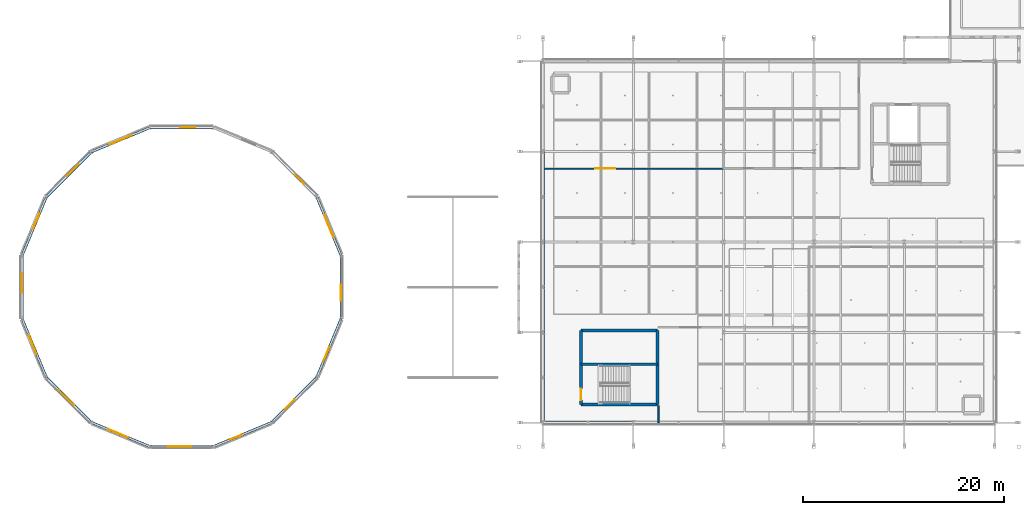
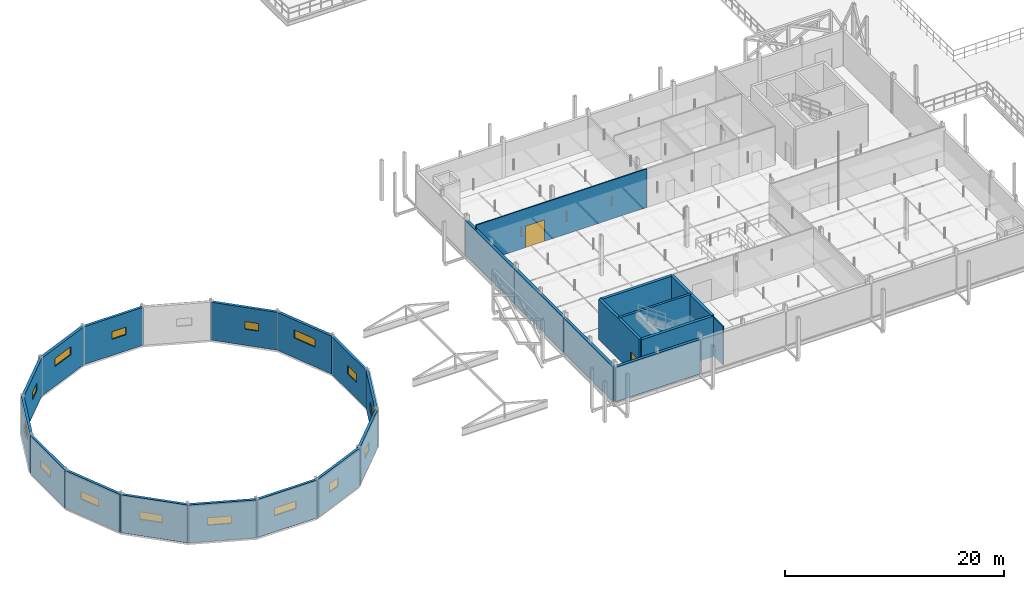
# One storey, part 45 of 89: 26 walls, 15 windows, 2 doors, 17 openings.
"""IFC4 building model written with IfcOpenShell, lengths in metres."""

from ifc_helpers import new_model, si_unit, direction, frame, frame_2d, origin, place, context, subcontext, project, spatial, rectangle, extrude, material, layer, layer_set, type_object, element, fill, save


model = new_model("IFC4")

# Units and contexts
model_context = context("Model", 3, precision=1e-05, world=origin(), true_north=direction((0.0, 1.0)))
body_context = subcontext(model_context, "Body", "Model", "MODEL_VIEW")
ifc_project = project(units=[si_unit("LENGTHUNIT", "METRE"), si_unit("AREAUNIT", "SQUARE_METRE"), si_unit("VOLUMEUNIT", "CUBIC_METRE"), si_unit("PLANEANGLEUNIT", "RADIAN"), si_unit("MASSUNIT", "GRAM", prefix="KILO"), si_unit("THERMODYNAMICTEMPERATUREUNIT", "KELVIN"), si_unit("POWERUNIT", "WATT")], contexts=[model_context])

# Site, building, storey
site_placement = place(None, origin())
site = spatial("IfcSite", under=ifc_project, at=site_placement, CompositionType="ELEMENT")
building_placement = place(site_placement, origin())
building = spatial("IfcBuilding", under=site, at=building_placement, Name="Tallowbark Science Centre", CompositionType="ELEMENT")
storey_placement = place(building_placement, frame((0.0, 0.0, 14.39990234375)))
storey = spatial("IfcBuildingStorey", under=building, at=storey_placement, Name="L03", CompositionType="ELEMENT", Elevation=14.39990234375)

# Wall, opening, window
ifc_material_1 = material(Name="Insulated Ribbed Precast Concrete Panel Grade N40 (40 MPa)", Category="concrete")
ifc_layer_1 = layer(ifc_material_1, 0.264892578125)
ifc_layer_set_1 = layer_set([ifc_layer_1], Name="Insulated Ribbed Precast Concrete Panel Grade N40 (40 MPa)")
wall_type_1 = type_object("IfcWallType", Name="EWL-PRC-265", PredefinedType="STANDARD", material=ifc_layer_set_1)
wall_1_placement = place(storey_placement, frame((38.388671875, 21.160400390625, 0.0), z_axis=(0.0, 0.0, 1.0), x_axis=(-0.382683814393, 0.92387937427, 0.0)))
wall_1 = element("IfcWall", 1, at=wall_1_placement, inside=storey, type_object=wall_type_1, Name="Exterior Wall DRM-UP-L03-00", PredefinedType="STANDARD", context=body_context, shape_type="SweptSolid", body=[
    extrude(rectangle(XDim=6.321044921875, YDim=0.264892578125, at=frame_2d((3.16064453125, 0.0))), origin(), (0.0, 0.0, 1.0), 4.22998046875),
])
opening_1_placement = place(wall_1_placement, frame((1.949951171875, 0.0, 2.199951171875)))
opening_1 = element("IfcOpeningElement", 2, at=opening_1_placement, cuts=wall_1, Name="Opening W-16", PredefinedType="OPENING", context=body_context, shape_type="SweptSolid", body=[
    extrude(rectangle(XDim=2.39990234375, YDim=0.89990234375, at=frame_2d((1.199951171875, 0.449951171875))), frame((0.0, 0.142578125, 0.0), z_axis=(0.0, -1.0, 0.0), x_axis=(1.0, 0.0, 0.0)), (0.0, 0.0, 1.0), 0.284912109375),
])
ifc_material_2 = material(Name="Thermally Broken Aluminium and Low-E Double Glazing", Category="aluminium")
window_type_1 = type_object("IfcWindowType", Name="WIN-CLR240x090", PartitioningType="SINGLE_PANEL", PredefinedType="LIGHTDOME", material=ifc_material_2)
window_1_placement = place(opening_1_placement, origin())
window_1 = element("IfcWindow", 3, at=window_1_placement, inside=storey, type_object=window_type_1, Name="Window XOP-08", OverallHeight=0.89990234375, OverallWidth=2.39990234375, PartitioningType="SINGLE_PANEL", PredefinedType="LIGHTDOME", context=body_context, shape_type="SweptSolid", body=[
    extrude(rectangle(XDim=2.39990234375, YDim=0.89990234375, at=frame_2d((1.199951171875, 0.449951171875))), frame((0.0, 0.030029296875, 0.0), z_axis=(0.0, -1.0, 0.0), x_axis=(1.0, 0.0, 0.0)), (0.0, 0.0, 1.0), 0.06005859375),
])
fill(opening_1, window_1)

wall_2_placement = place(storey_placement, frame((35.9697265625, 27.000244140625, 0.0), z_axis=(0.0, 0.0, 1.0), x_axis=(-0.707106781187, 0.707106781187, 0.0)))
wall_2 = element("IfcWall", 4, at=wall_2_placement, inside=storey, type_object=wall_type_1, Name="Exterior Wall DRM-UP-L03-01", PredefinedType="STANDARD", context=body_context, shape_type="SweptSolid", body=[
    extrude(rectangle(XDim=6.32080078125, YDim=0.264892578125, at=frame_2d((3.160400390625, 0.0))), origin(), (0.0, 0.0, 1.0), 4.22998046875),
])
opening_2_placement = place(wall_2_placement, frame((1.800048828125, 0.0, 1.800048828125)))
opening_2 = element("IfcOpeningElement", 5, at=opening_2_placement, cuts=wall_2, Name="Opening WS-20", PredefinedType="OPENING", context=body_context, shape_type="SweptSolid", body=[
    extrude(rectangle(XDim=1.300048828125, YDim=0.85009765625, at=frame_2d((0.64990234375, 0.425048828125))), frame((0.0, 0.142578125, 0.0), z_axis=(0.0, -1.0, 0.0), x_axis=(1.0, 0.0, 0.0)), (0.0, 0.0, 1.0), 0.284912109375),
])
window_type_2 = type_object("IfcWindowType", Name="WIN-SP-130x085", PartitioningType="SINGLE_PANEL", PredefinedType="WINDOW", material=ifc_material_2)
window_2_placement = place(opening_2_placement, origin())
window_2 = element("IfcWindow", 6, at=window_2_placement, inside=storey, type_object=window_type_2, Name="Acoustic Window WSP-20", OverallHeight=0.85009765625, OverallWidth=1.300048828125, PartitioningType="SINGLE_PANEL", PredefinedType="WINDOW", context=body_context, shape_type="SweptSolid", body=[
    extrude(rectangle(XDim=1.300048828125, YDim=0.85009765625, at=frame_2d((0.64990234375, 0.425048828125))), frame((0.0, 0.030029296875, 0.0), z_axis=(0.0, -1.0, 0.0), x_axis=(1.0, 0.0, 0.0)), (0.0, 0.0, 1.0), 0.06005859375),
])
fill(opening_2, window_2)

wall_3_placement = place(storey_placement, frame((25.660400390625, 33.888671875, 0.0), z_axis=(0.0, 0.0, 1.0), x_axis=(-1.0, 0.0, 0.0)))
wall_3 = element("IfcWall", 7, at=wall_3_placement, inside=storey, type_object=wall_type_1, Name="Exterior Wall DRM-UP-L03-03", PredefinedType="STANDARD", context=body_context, shape_type="SweptSolid", body=[
    extrude(rectangle(XDim=6.32080078125, YDim=0.264892578125, at=frame_2d((3.160400390625, 0.0))), origin(), (0.0, 0.0, 1.0), 4.22998046875),
])
opening_3_placement = place(wall_3_placement, frame((1.800048828125, 0.0, 1.800048828125)))
opening_3 = element("IfcOpeningElement", 8, at=opening_3_placement, cuts=wall_3, Name="Opening WS-22", PredefinedType="OPENING", context=body_context, shape_type="SweptSolid", body=[
    extrude(rectangle(XDim=1.5, YDim=0.85009765625, at=frame_2d((0.75, 0.425048828125))), frame((0.0, 0.142578125, 0.0), z_axis=(0.0, -1.0, 0.0), x_axis=(1.0, 0.0, 0.0)), (0.0, 0.0, 1.0), 0.284912109375),
])
window_type_3 = type_object("IfcWindowType", Name="WIN-SP-150x085", PartitioningType="SINGLE_PANEL", PredefinedType="WINDOW", material=ifc_material_2)
window_3_placement = place(opening_3_placement, origin())
window_3 = element("IfcWindow", 9, at=window_3_placement, inside=storey, type_object=window_type_3, Name="Acoustic Window WSP-22", OverallHeight=0.85009765625, OverallWidth=1.5, PartitioningType="SINGLE_PANEL", PredefinedType="WINDOW", context=body_context, shape_type="SweptSolid", body=[
    extrude(rectangle(XDim=1.5, YDim=0.85009765625, at=frame_2d((0.75, 0.425048828125))), frame((0.0, 0.030029296875, 0.0), z_axis=(0.0, -1.0, 0.0), x_axis=(1.0, 0.0, 0.0)), (0.0, 0.0, 1.0), 0.06005859375),
])
fill(opening_3, window_3)

wall_4_placement = place(storey_placement, frame((19.339599609375, 33.888671875, 0.0), z_axis=(0.0, 0.0, 1.0), x_axis=(-0.92387937427, -0.382683814393, 0.0)))
wall_4 = element("IfcWall", 10, at=wall_4_placement, inside=storey, type_object=wall_type_1, Name="Exterior Wall DRM-UP-L03-04", PredefinedType="STANDARD", context=body_context, shape_type="SweptSolid", body=[
    extrude(rectangle(XDim=6.321044921875, YDim=0.264892578125, at=frame_2d((3.16064453125, 0.0))), origin(), (0.0, 0.0, 1.0), 4.22998046875),
])
opening_4_placement = place(wall_4_placement, frame((1.949951171875, 0.0, 2.199951171875)))
opening_4 = element("IfcOpeningElement", 11, at=opening_4_placement, cuts=wall_4, Name="Opening W-16", PredefinedType="OPENING", context=body_context, shape_type="SweptSolid", body=[
    extrude(rectangle(XDim=2.39990234375, YDim=0.89990234375, at=frame_2d((1.199951171875, 0.449951171875))), frame((0.0, 0.142578125, 0.0), z_axis=(0.0, -1.0, 0.0), x_axis=(1.0, 0.0, 0.0)), (0.0, 0.0, 1.0), 0.284912109375),
])
window_4_placement = place(opening_4_placement, origin())
window_4 = element("IfcWindow", 12, at=window_4_placement, inside=storey, type_object=window_type_1, Name="Window XOP-09", OverallHeight=0.89990234375, OverallWidth=2.39990234375, PartitioningType="SINGLE_PANEL", PredefinedType="LIGHTDOME", context=body_context, shape_type="SweptSolid", body=[
    extrude(rectangle(XDim=2.39990234375, YDim=0.89990234375, at=frame_2d((1.199951171875, 0.449951171875))), frame((0.0, 0.030029296875, 0.0), z_axis=(0.0, -1.0, 0.0), x_axis=(1.0, 0.0, 0.0)), (0.0, 0.0, 1.0), 0.06005859375),
])
fill(opening_4, window_4)

wall_5_placement = place(storey_placement, frame((13.499755859375, 31.4697265625, 0.0), z_axis=(0.0, 0.0, 1.0), x_axis=(-0.707106781187, -0.707106781187, 0.0)))
wall_5 = element("IfcWall", 13, at=wall_5_placement, inside=storey, type_object=wall_type_1, Name="Exterior Wall DRM-UP-L03-05", PredefinedType="STANDARD", context=body_context, shape_type="SweptSolid", body=[
    extrude(rectangle(XDim=6.32080078125, YDim=0.264892578125, at=frame_2d((3.160400390625, 0.0))), origin(), (0.0, 0.0, 1.0), 4.22998046875),
])
opening_5_placement = place(wall_5_placement, frame((1.800048828125, 0.0, 1.800048828125)))
opening_5 = element("IfcOpeningElement", 14, at=opening_5_placement, cuts=wall_5, Name="Opening WS-23", PredefinedType="OPENING", context=body_context, shape_type="SweptSolid", body=[
    extrude(rectangle(XDim=1.60009765625, YDim=0.85009765625, at=frame_2d((0.800048828125, 0.425048828125))), frame((0.0, 0.142578125, 0.0), z_axis=(0.0, -1.0, 0.0), x_axis=(1.0, 0.0, 0.0)), (0.0, 0.0, 1.0), 0.284912109375),
])
window_type_4 = type_object("IfcWindowType", Name="WIN-SP-160x085", PartitioningType="SINGLE_PANEL", PredefinedType="WINDOW", material=ifc_material_2)
window_5_placement = place(opening_5_placement, origin())
window_5 = element("IfcWindow", 15, at=window_5_placement, inside=storey, type_object=window_type_4, Name="Acoustic Window WSP-23", OverallHeight=0.85009765625, OverallWidth=1.60009765625, PartitioningType="SINGLE_PANEL", PredefinedType="WINDOW", context=body_context, shape_type="SweptSolid", body=[
    extrude(rectangle(XDim=1.60009765625, YDim=0.85009765625, at=frame_2d((0.800048828125, 0.425048828125))), frame((0.0, 0.030029296875, 0.0), z_axis=(0.0, -1.0, 0.0), x_axis=(1.0, 0.0, 0.0)), (0.0, 0.0, 1.0), 0.06005859375),
])
fill(opening_5, window_5)

wall_6_placement = place(storey_placement, frame((9.0302734375, 27.000244140625, 0.0), z_axis=(0.0, 0.0, 1.0), x_axis=(-0.382683814393, -0.92387937427, 0.0)))
wall_6 = element("IfcWall", 16, at=wall_6_placement, inside=storey, type_object=wall_type_1, Name="Exterior Wall DRM-UP-L03-06", PredefinedType="STANDARD", context=body_context, shape_type="SweptSolid", body=[
    extrude(rectangle(XDim=6.321044921875, YDim=0.264892578125, at=frame_2d((3.16064453125, 0.0))), origin(), (0.0, 0.0, 1.0), 4.22998046875),
])
opening_6_placement = place(wall_6_placement, frame((1.800048828125, 0.0, 1.800048828125)))
opening_6 = element("IfcOpeningElement", 17, at=opening_6_placement, cuts=wall_6, Name="Opening WS-24", PredefinedType="OPENING", context=body_context, shape_type="SweptSolid", body=[
    extrude(rectangle(XDim=1.699951171875, YDim=0.85009765625, at=frame_2d((0.85009765625, 0.425048828125))), frame((0.0, 0.142578125, 0.0), z_axis=(0.0, -1.0, 0.0), x_axis=(1.0, 0.0, 0.0)), (0.0, 0.0, 1.0), 0.284912109375),
])
window_type_5 = type_object("IfcWindowType", Name="WIN-SP-170x085", PartitioningType="SINGLE_PANEL", PredefinedType="WINDOW", material=ifc_material_2)
window_6_placement = place(opening_6_placement, origin())
window_6 = element("IfcWindow", 18, at=window_6_placement, inside=storey, type_object=window_type_5, Name="Acoustic Window WSP-24", OverallHeight=0.85009765625, OverallWidth=1.699951171875, PartitioningType="SINGLE_PANEL", PredefinedType="WINDOW", context=body_context, shape_type="SweptSolid", body=[
    extrude(rectangle(XDim=1.699951171875, YDim=0.85009765625, at=frame_2d((0.85009765625, 0.425048828125))), frame((0.0, 0.030029296875, 0.0), z_axis=(0.0, -1.0, 0.0), x_axis=(1.0, 0.0, 0.0)), (0.0, 0.0, 1.0), 0.06005859375),
])
fill(opening_6, window_6)

wall_7_placement = place(storey_placement, frame((6.611328125, 21.160400390625, 0.0), z_axis=(0.0, 0.0, 1.0), x_axis=(0.0, -1.0, 0.0)))
wall_7 = element("IfcWall", 19, at=wall_7_placement, inside=storey, type_object=wall_type_1, Name="Exterior Wall DRM-UP-L03-07", PredefinedType="STANDARD", context=body_context, shape_type="SweptSolid", body=[
    extrude(rectangle(XDim=6.32080078125, YDim=0.264892578125, at=frame_2d((3.160400390625, 0.0))), origin(), (0.0, 0.0, 1.0), 4.22998046875),
])
opening_7_placement = place(wall_7_placement, frame((1.800048828125, 0.0, 1.800048828125)))
opening_7 = element("IfcOpeningElement", 20, at=opening_7_placement, cuts=wall_7, Name="Opening WS-25", PredefinedType="OPENING", context=body_context, shape_type="SweptSolid", body=[
    extrude(rectangle(XDim=1.89990234375, YDim=0.85009765625, at=frame_2d((0.949951171875, 0.425048828125))), frame((0.0, 0.142578125, 0.0), z_axis=(0.0, -1.0, 0.0), x_axis=(1.0, 0.0, 0.0)), (0.0, 0.0, 1.0), 0.284912109375),
])
window_type_6 = type_object("IfcWindowType", Name="WIN-SP-190x085", PartitioningType="SINGLE_PANEL", PredefinedType="WINDOW", material=ifc_material_2)
window_7_placement = place(opening_7_placement, origin())
window_7 = element("IfcWindow", 21, at=window_7_placement, inside=storey, type_object=window_type_6, Name="Acoustic Window WSP-25", OverallHeight=0.85009765625, OverallWidth=1.89990234375, PartitioningType="SINGLE_PANEL", PredefinedType="WINDOW", context=body_context, shape_type="SweptSolid", body=[
    extrude(rectangle(XDim=1.89990234375, YDim=0.85009765625, at=frame_2d((0.949951171875, 0.425048828125))), frame((0.0, 0.030029296875, 0.0), z_axis=(0.0, -1.0, 0.0), x_axis=(1.0, 0.0, 0.0)), (0.0, 0.0, 1.0), 0.06005859375),
])
fill(opening_7, window_7)

wall_8_placement = place(storey_placement, frame((6.611328125, 14.839599609375, 0.0), z_axis=(0.0, 0.0, 1.0), x_axis=(0.382683814393, -0.92387937427, 0.0)))
wall_8 = element("IfcWall", 22, at=wall_8_placement, inside=storey, type_object=wall_type_1, Name="Exterior Wall DRM-UP-L03-08", PredefinedType="STANDARD", context=body_context, shape_type="SweptSolid", body=[
    extrude(rectangle(XDim=6.321044921875, YDim=0.264892578125, at=frame_2d((3.16064453125, 0.0))), origin(), (0.0, 0.0, 1.0), 4.22998046875),
])
opening_8_placement = place(wall_8_placement, frame((1.800048828125, 0.0, 1.800048828125)))
opening_8 = element("IfcOpeningElement", 23, at=opening_8_placement, cuts=wall_8, Name="Opening WS-26", PredefinedType="OPENING", context=body_context, shape_type="SweptSolid", body=[
    extrude(rectangle(XDim=2.0, YDim=0.85009765625, at=frame_2d((1.0, 0.425048828125))), frame((0.0, 0.142578125, 0.0), z_axis=(0.0, -1.0, 0.0), x_axis=(1.0, 0.0, 0.0)), (0.0, 0.0, 1.0), 0.284912109375),
])
window_type_7 = type_object("IfcWindowType", Name="WIN-SP-200x085", PartitioningType="SINGLE_PANEL", PredefinedType="WINDOW", material=ifc_material_2)
window_8_placement = place(opening_8_placement, origin())
window_8 = element("IfcWindow", 24, at=window_8_placement, inside=storey, type_object=window_type_7, Name="Acoustic Window WSP-26", OverallHeight=0.85009765625, OverallWidth=2.0, PartitioningType="SINGLE_PANEL", PredefinedType="WINDOW", context=body_context, shape_type="SweptSolid", body=[
    extrude(rectangle(XDim=2.0, YDim=0.85009765625, at=frame_2d((1.0, 0.425048828125))), frame((0.0, 0.030029296875, 0.0), z_axis=(0.0, -1.0, 0.0), x_axis=(1.0, 0.0, 0.0)), (0.0, 0.0, 1.0), 0.06005859375),
])
fill(opening_8, window_8)

wall_9_placement = place(storey_placement, frame((9.0302734375, 8.999755859375, 0.0), z_axis=(0.0, 0.0, 1.0), x_axis=(0.707106781187, -0.707106781187, 0.0)))
wall_9 = element("IfcWall", 25, at=wall_9_placement, inside=storey, type_object=wall_type_1, Name="Exterior Wall DRM-UP-L03-09", PredefinedType="STANDARD", context=body_context, shape_type="SweptSolid", body=[
    extrude(rectangle(XDim=6.32080078125, YDim=0.264892578125, at=frame_2d((3.160400390625, 0.0))), origin(), (0.0, 0.0, 1.0), 4.22998046875),
])
opening_9_placement = place(wall_9_placement, frame((1.800048828125, 0.0, 1.800048828125)))
opening_9 = element("IfcOpeningElement", 26, at=opening_9_placement, cuts=wall_9, Name="Opening WS-27", PredefinedType="OPENING", context=body_context, shape_type="SweptSolid", body=[
    extrude(rectangle(XDim=2.10009765625, YDim=0.85009765625, at=frame_2d((1.050048828125, 0.425048828125))), frame((0.0, 0.142578125, 0.0), z_axis=(0.0, -1.0, 0.0), x_axis=(1.0, 0.0, 0.0)), (0.0, 0.0, 1.0), 0.284912109375),
])
window_type_8 = type_object("IfcWindowType", Name="WIN-SP-210x085", PartitioningType="SINGLE_PANEL", PredefinedType="WINDOW", material=ifc_material_2)
window_9_placement = place(opening_9_placement, origin())
window_9 = element("IfcWindow", 27, at=window_9_placement, inside=storey, type_object=window_type_8, Name="Acoustic Window WSP-27", OverallHeight=0.85009765625, OverallWidth=2.10009765625, PartitioningType="SINGLE_PANEL", PredefinedType="WINDOW", context=body_context, shape_type="SweptSolid", body=[
    extrude(rectangle(XDim=2.10009765625, YDim=0.85009765625, at=frame_2d((1.050048828125, 0.425048828125))), frame((0.0, 0.030029296875, 0.0), z_axis=(0.0, -1.0, 0.0), x_axis=(1.0, 0.0, 0.0)), (0.0, 0.0, 1.0), 0.06005859375),
])
fill(opening_9, window_9)

wall_10_placement = place(storey_placement, frame((13.499755859375, 4.5302734375, 0.0), z_axis=(0.0, 0.0, 1.0), x_axis=(0.92387937427, -0.382683814393, 0.0)))
wall_10 = element("IfcWall", 28, at=wall_10_placement, inside=storey, type_object=wall_type_1, Name="Exterior Wall DRM-UP-L03-10", PredefinedType="STANDARD", context=body_context, shape_type="SweptSolid", body=[
    extrude(rectangle(XDim=6.321044921875, YDim=0.264892578125, at=frame_2d((3.16064453125, 0.0))), origin(), (0.0, 0.0, 1.0), 4.22998046875),
])
opening_10_placement = place(wall_10_placement, frame((1.800048828125, 0.0, 1.800048828125)))
opening_10 = element("IfcOpeningElement", 29, at=opening_10_placement, cuts=wall_10, Name="Opening WS-28", PredefinedType="OPENING", context=body_context, shape_type="SweptSolid", body=[
    extrude(rectangle(XDim=2.199951171875, YDim=0.85009765625, at=frame_2d((1.10009765625, 0.425048828125))), frame((0.0, 0.142578125, 0.0), z_axis=(0.0, -1.0, 0.0), x_axis=(1.0, 0.0, 0.0)), (0.0, 0.0, 1.0), 0.284912109375),
])
window_type_9 = type_object("IfcWindowType", Name="WIN-SP-220x085", PartitioningType="SINGLE_PANEL", PredefinedType="WINDOW", material=ifc_material_2)
window_10_placement = place(opening_10_placement, origin())
window_10 = element("IfcWindow", 30, at=window_10_placement, inside=storey, type_object=window_type_9, Name="Acoustic Window WSP-28", OverallHeight=0.85009765625, OverallWidth=2.199951171875, PartitioningType="SINGLE_PANEL", PredefinedType="WINDOW", context=body_context, shape_type="SweptSolid", body=[
    extrude(rectangle(XDim=2.199951171875, YDim=0.85009765625, at=frame_2d((1.10009765625, 0.425048828125))), frame((0.0, 0.030029296875, 0.0), z_axis=(0.0, -1.0, 0.0), x_axis=(1.0, 0.0, 0.0)), (0.0, 0.0, 1.0), 0.06005859375),
])
fill(opening_10, window_10)

wall_11_placement = place(storey_placement, frame((19.339599609375, 2.111328125, 0.0), z_axis=(0.0, 0.0, 1.0), x_axis=(1.0, 0.0, 0.0)))
wall_11 = element("IfcWall", 31, at=wall_11_placement, inside=storey, type_object=wall_type_1, Name="Exterior Wall DRM-UP-L03-11", PredefinedType="STANDARD", context=body_context, shape_type="SweptSolid", body=[
    extrude(rectangle(XDim=6.32080078125, YDim=0.264892578125, at=frame_2d((3.160400390625, 0.0))), origin(), (0.0, 0.0, 1.0), 4.22998046875),
])
opening_11_placement = place(wall_11_placement, frame((1.800048828125, 0.0, 1.800048828125)))
opening_11 = element("IfcOpeningElement", 32, at=opening_11_placement, cuts=wall_11, Name="Opening WS-29", PredefinedType="OPENING", context=body_context, shape_type="SweptSolid", body=[
    extrude(rectangle(XDim=2.300048828125, YDim=0.85009765625, at=frame_2d((1.14990234375, 0.425048828125))), frame((0.0, 0.142578125, 0.0), z_axis=(0.0, -1.0, 0.0), x_axis=(1.0, 0.0, 0.0)), (0.0, 0.0, 1.0), 0.284912109375),
])
window_type_10 = type_object("IfcWindowType", Name="WIN-SP-230x085", PartitioningType="SINGLE_PANEL", PredefinedType="WINDOW", material=ifc_material_2)
window_11_placement = place(opening_11_placement, origin())
window_11 = element("IfcWindow", 33, at=window_11_placement, inside=storey, type_object=window_type_10, Name="Acoustic Window WSP-29", OverallHeight=0.85009765625, OverallWidth=2.300048828125, PartitioningType="SINGLE_PANEL", PredefinedType="WINDOW", context=body_context, shape_type="SweptSolid", body=[
    extrude(rectangle(XDim=2.300048828125, YDim=0.85009765625, at=frame_2d((1.14990234375, 0.425048828125))), frame((0.0, 0.030029296875, 0.0), z_axis=(0.0, -1.0, 0.0), x_axis=(1.0, 0.0, 0.0)), (0.0, 0.0, 1.0), 0.06005859375),
])
fill(opening_11, window_11)

wall_12_placement = place(storey_placement, frame((25.660400390625, 2.111328125, 0.0), z_axis=(0.0, 0.0, 1.0), x_axis=(0.92387937427, 0.382683814393, 0.0)))
wall_12 = element("IfcWall", 34, at=wall_12_placement, inside=storey, type_object=wall_type_1, Name="Exterior Wall DRM-UP-L03-12", PredefinedType="STANDARD", context=body_context, shape_type="SweptSolid", body=[
    extrude(rectangle(XDim=6.321044921875, YDim=0.264892578125, at=frame_2d((3.16064453125, 0.0))), origin(), (0.0, 0.0, 1.0), 4.22998046875),
])
opening_12_placement = place(wall_12_placement, frame((1.800048828125, 0.0, 1.800048828125)))
opening_12 = element("IfcOpeningElement", 35, at=opening_12_placement, cuts=wall_12, Name="Opening WS-30", PredefinedType="OPENING", context=body_context, shape_type="SweptSolid", body=[
    extrude(rectangle(XDim=1.300048828125, YDim=0.949951171875, at=frame_2d((0.64990234375, 0.47509765625))), frame((0.0, 0.142578125, 0.0), z_axis=(0.0, -1.0, 0.0), x_axis=(1.0, 0.0, 0.0)), (0.0, 0.0, 1.0), 0.284912109375),
])
window_type_11 = type_object("IfcWindowType", Name="WIN-SP-130x095", PartitioningType="SINGLE_PANEL", PredefinedType="WINDOW", material=ifc_material_2)
window_12_placement = place(opening_12_placement, origin())
window_12 = element("IfcWindow", 36, at=window_12_placement, inside=storey, type_object=window_type_11, Name="Acoustic Window WSP-30", OverallHeight=0.949951171875, OverallWidth=1.300048828125, PartitioningType="SINGLE_PANEL", PredefinedType="WINDOW", context=body_context, shape_type="SweptSolid", body=[
    extrude(rectangle(XDim=1.300048828125, YDim=0.949951171875, at=frame_2d((0.64990234375, 0.47509765625))), frame((0.0, 0.030029296875, 0.0), z_axis=(0.0, -1.0, 0.0), x_axis=(1.0, 0.0, 0.0)), (0.0, 0.0, 1.0), 0.06005859375),
])
fill(opening_12, window_12)

wall_13_placement = place(storey_placement, frame((31.500244140625, 4.5302734375, 0.0), z_axis=(0.0, 0.0, 1.0), x_axis=(0.707106781187, 0.707106781187, 0.0)))
wall_13 = element("IfcWall", 37, at=wall_13_placement, inside=storey, type_object=wall_type_1, Name="Exterior Wall DRM-UP-L03-13", PredefinedType="STANDARD", context=body_context, shape_type="SweptSolid", body=[
    extrude(rectangle(XDim=6.32080078125, YDim=0.264892578125, at=frame_2d((3.160400390625, 0.0))), origin(), (0.0, 0.0, 1.0), 4.22998046875),
])
opening_13_placement = place(wall_13_placement, frame((1.800048828125, 0.0, 1.800048828125)))
opening_13 = element("IfcOpeningElement", 38, at=opening_13_placement, cuts=wall_13, Name="Opening WS-31", PredefinedType="OPENING", context=body_context, shape_type="SweptSolid", body=[
    extrude(rectangle(XDim=1.39990234375, YDim=0.949951171875, at=frame_2d((0.699951171875, 0.47509765625))), frame((0.0, 0.142578125, 0.0), z_axis=(0.0, -1.0, 0.0), x_axis=(1.0, 0.0, 0.0)), (0.0, 0.0, 1.0), 0.284912109375),
])
window_type_12 = type_object("IfcWindowType", Name="WIN-SP-140x095", PartitioningType="SINGLE_PANEL", PredefinedType="WINDOW", material=ifc_material_2)
window_13_placement = place(opening_13_placement, origin())
window_13 = element("IfcWindow", 39, at=window_13_placement, inside=storey, type_object=window_type_12, Name="Acoustic Window WSP-31", OverallHeight=0.949951171875, OverallWidth=1.39990234375, PartitioningType="SINGLE_PANEL", PredefinedType="WINDOW", context=body_context, shape_type="SweptSolid", body=[
    extrude(rectangle(XDim=1.39990234375, YDim=0.949951171875, at=frame_2d((0.699951171875, 0.47509765625))), frame((0.0, 0.030029296875, 0.0), z_axis=(0.0, -1.0, 0.0), x_axis=(1.0, 0.0, 0.0)), (0.0, 0.0, 1.0), 0.06005859375),
])
fill(opening_13, window_13)

wall_14_placement = place(storey_placement, frame((35.9697265625, 8.999755859375, 0.0), z_axis=(0.0, 0.0, 1.0), x_axis=(0.382683814393, 0.92387937427, 0.0)))
wall_14 = element("IfcWall", 40, at=wall_14_placement, inside=storey, type_object=wall_type_1, Name="Exterior Wall DRM-UP-L03-14", PredefinedType="STANDARD", context=body_context, shape_type="SweptSolid", body=[
    extrude(rectangle(XDim=6.321044921875, YDim=0.264892578125, at=frame_2d((3.16064453125, 0.0))), origin(), (0.0, 0.0, 1.0), 4.22998046875),
])
opening_14_placement = place(wall_14_placement, frame((1.800048828125, 0.0, 1.800048828125)))
opening_14 = element("IfcOpeningElement", 41, at=opening_14_placement, cuts=wall_14, Name="Opening WS-32", PredefinedType="OPENING", context=body_context, shape_type="SweptSolid", body=[
    extrude(rectangle(XDim=1.5, YDim=0.949951171875, at=frame_2d((0.75, 0.47509765625))), frame((0.0, 0.142578125, 0.0), z_axis=(0.0, -1.0, 0.0), x_axis=(1.0, 0.0, 0.0)), (0.0, 0.0, 1.0), 0.284912109375),
])
window_type_13 = type_object("IfcWindowType", Name="WIN-SP-150x095", PartitioningType="SINGLE_PANEL", PredefinedType="WINDOW", material=ifc_material_2)
window_14_placement = place(opening_14_placement, origin())
window_14 = element("IfcWindow", 42, at=window_14_placement, inside=storey, type_object=window_type_13, Name="Acoustic Window WSP-32", OverallHeight=0.949951171875, OverallWidth=1.5, PartitioningType="SINGLE_PANEL", PredefinedType="WINDOW", context=body_context, shape_type="SweptSolid", body=[
    extrude(rectangle(XDim=1.5, YDim=0.949951171875, at=frame_2d((0.75, 0.47509765625))), frame((0.0, 0.030029296875, 0.0), z_axis=(0.0, -1.0, 0.0), x_axis=(1.0, 0.0, 0.0)), (0.0, 0.0, 1.0), 0.06005859375),
])
fill(opening_14, window_14)

wall_15_placement = place(storey_placement, frame((38.388671875, 14.839599609375, 0.0), z_axis=(0.0, 0.0, 1.0), x_axis=(0.0, 1.0, 0.0)))
wall_15 = element("IfcWall", 43, at=wall_15_placement, inside=storey, type_object=wall_type_1, Name="Exterior Wall DRM-UP-L03-15", PredefinedType="STANDARD", context=body_context, shape_type="SweptSolid", body=[
    extrude(rectangle(XDim=6.32080078125, YDim=0.264892578125, at=frame_2d((3.160400390625, 0.0))), origin(), (0.0, 0.0, 1.0), 4.22998046875),
])
opening_15_placement = place(wall_15_placement, frame((1.800048828125, 0.0, 1.800048828125)))
opening_15 = element("IfcOpeningElement", 44, at=opening_15_placement, cuts=wall_15, Name="Opening WS-33", PredefinedType="OPENING", context=body_context, shape_type="SweptSolid", body=[
    extrude(rectangle(XDim=1.60009765625, YDim=0.949951171875, at=frame_2d((0.800048828125, 0.47509765625))), frame((0.0, 0.142578125, 0.0), z_axis=(0.0, -1.0, 0.0), x_axis=(1.0, 0.0, 0.0)), (0.0, 0.0, 1.0), 0.284912109375),
])
window_type_14 = type_object("IfcWindowType", Name="WIN-SP-160x095", PartitioningType="SINGLE_PANEL", PredefinedType="WINDOW", material=ifc_material_2)
window_15_placement = place(opening_15_placement, origin())
window_15 = element("IfcWindow", 45, at=window_15_placement, inside=storey, type_object=window_type_14, Name="Acoustic Window WSP-33", OverallHeight=0.949951171875, OverallWidth=1.60009765625, PartitioningType="SINGLE_PANEL", PredefinedType="WINDOW", context=body_context, shape_type="SweptSolid", body=[
    extrude(rectangle(XDim=1.60009765625, YDim=0.949951171875, at=frame_2d((0.800048828125, 0.47509765625))), frame((0.0, 0.030029296875, 0.0), z_axis=(0.0, -1.0, 0.0), x_axis=(1.0, 0.0, 0.0)), (0.0, 0.0, 1.0), 0.06005859375),
])
fill(opening_15, window_15)

# Walls
ifc_material_3 = material(Name="Spotted Gum Acoustic Cassette Wall Assembly", Category="wood")
ifc_layer_2 = layer(ifc_material_3, 0.294921875)
ifc_layer_set_2 = layer_set([ifc_layer_2], Name="Spotted Gum Acoustic Cassette Wall Assembly")
wall_type_2 = type_object("IfcWallType", Name="EWL-TIM-295", PredefinedType="STANDARD", material=ifc_layer_set_2)
for number, where, z_axis, x_axis, name in (
    (46, (58.5, 4.5, 0.0), (0.0, 0.0, 1.0), (1.0, 0.0, 0.0), "Exterior Wall CUB-S-L03-0"),
    (47, (58.5, 13.5, 0.0), (0.0, 0.0, 1.0), (0.0, -1.0, 0.0), "Exterior Wall CUB-W-L03-0"),
    (48, (58.5, 22.5, 0.0), (0.0, 0.0, 1.0), (0.0, -1.0, 0.0), "Exterior Wall CUB-W-L03-1"),
    (49, (58.5, 31.5, 0.0), (0.0, 0.0, 1.0), (0.0, -1.0, 0.0), "Exterior Wall CUB-W-L03-2"),
):
    element("IfcWall", number, at=place(storey_placement, frame(where, z_axis=z_axis, x_axis=x_axis)), inside=storey, type_object=wall_type_2, Name=name, PredefinedType="STANDARD", context=body_context, shape_type="SweptSolid", body=[
        extrude(rectangle(XDim=9.0, YDim=0.294921875, at=frame_2d((4.5, 0.0))), origin(), (0.0, 0.0, 1.0), 3.84619140625),
    ])
ifc_material_4 = material(Name="132 mm Acoustic Laboratory Steel Stud Partition", Category="steel")
ifc_layer_3 = layer(ifc_material_4, 0.132080078125)
ifc_layer_set_3 = layer_set([ifc_layer_3], Name="132 mm Acoustic Laboratory Steel Stud Partition")
wall_type_3 = type_object("IfcWallType", Name="PTW-132", PredefinedType="PARTITIONING", material=ifc_layer_set_3)
wall_16_placement = place(storey_placement, frame((70.0, 4.5, 0.0), z_axis=(0.0, 0.0, 1.0), x_axis=(0.0, 1.0, 0.0)))
element("IfcWall", 50, at=wall_16_placement, inside=storey, type_object=wall_type_3, Name="Interior Partition PTW-L03-0246", PredefinedType="PARTITIONING", context=body_context, shape_type="SweptSolid", body=[
    extrude(rectangle(XDim=1.699951171875, YDim=0.132080078125, at=frame_2d((0.85009765625, 0.0))), origin(), (0.0, 0.0, 1.0), 4.320068359375),
])

# Wall, opening, door
ifc_material_5 = material(Name="125 mm Top-Hung Operable Acoustic Exhibition Partition")
ifc_layer_4 = layer(ifc_material_5, 0.125)
ifc_layer_set_4 = layer_set([ifc_layer_4], Name="125 mm Top-Hung Operable Acoustic Exhibition Partition")
wall_type_4 = type_object("IfcWallType", Name="PTW-MOV-125", PredefinedType="MOVABLE", material=ifc_layer_set_4)
wall_17_placement = place(storey_placement, frame((58.5, 29.800048828125, 0.0), z_axis=(0.0, 0.0, 1.0), x_axis=(1.0, 0.0, 0.0)))
wall_17 = element("IfcWall", 51, at=wall_17_placement, inside=storey, type_object=wall_type_4, Name="Interior Partition PTW-L03-0251", PredefinedType="MOVABLE", context=body_context, shape_type="SweptSolid", body=[
    extrude(rectangle(XDim=18.0, YDim=0.125, at=frame_2d((9.0, 0.0))), origin(), (0.0, 0.0, 1.0), 4.320068359375),
])
opening_16_placement = place(wall_17_placement, frame((5.199951171875, 0.0, 0.0)))
opening_16 = element("IfcOpeningElement", 52, at=opening_16_placement, cuts=wall_17, Name="Opening ID-02", PredefinedType="OPENING", context=body_context, shape_type="SweptSolid", body=[
    extrude(rectangle(XDim=2.0, YDim=2.39990234375, at=frame_2d((1.0, 1.199951171875))), frame((0.0, 0.072509765625, 0.0), z_axis=(0.0, -1.0, 0.0), x_axis=(1.0, 0.0, 0.0)), (0.0, 0.0, 1.0), 0.14501953125),
])
ifc_material_6 = material(Name="Spotted Gum Acoustic Gallery Pair", Category="wood")
door_type_1 = type_object("IfcDoorType", Name="IDR-GAL-200", OperationType="DOUBLE_DOOR_DOUBLE_SWING", PredefinedType="DOOR", material=ifc_material_6)
door_1_placement = place(opening_16_placement, origin())
door_1 = element("IfcDoor", 53, at=door_1_placement, inside=storey, type_object=door_type_1, Name="Interior Door IDR-L03-0109", OperationType="DOUBLE_DOOR_DOUBLE_SWING", OverallHeight=2.39990234375, OverallWidth=2.0, PredefinedType="DOOR", context=body_context, shape_type="SweptSolid", body=[
    extrude(rectangle(XDim=2.0, YDim=2.39990234375, at=frame_2d((1.0, 1.199951171875))), frame((0.0, 0.02490234375, 0.0), z_axis=(0.0, -1.0, 0.0), x_axis=(1.0, 0.0, 0.0)), (0.0, 0.0, 1.0), 0.050048828125),
])
fill(opening_16, door_1)

ifc_material_7 = material(Name="Concrete Grade N40 (40 MPa)", Category="concrete")
ifc_layer_5 = layer(ifc_material_7, 0.300048828125)
ifc_layer_set_5 = layer_set([ifc_layer_5], Name="Concrete Grade N40 (40 MPa)")
wall_type_5 = type_object("IfcWallType", Name="WL-CORE-300", PredefinedType="SHEAR", material=ifc_layer_set_5)
wall_18_placement = place(storey_placement, frame((62.300048828125, 6.300048828125, 0.0), z_axis=(0.0, 0.0, 1.0), x_axis=(0.0, 1.0, 0.0)))
wall_18 = element("IfcWall", 54, at=wall_18_placement, inside=storey, type_object=wall_type_5, Name="Core C7 Shear Wall L03 W", PredefinedType="SHEAR", context=body_context, shape_type="SweptSolid", body=[
    extrude(rectangle(XDim=7.39990234375, YDim=0.300048828125, at=frame_2d((3.699951171875, 0.0))), origin(), (0.0, 0.0, 1.0), 4.5),
])
opening_17_placement = place(wall_18_placement, frame((0.449951171875, 0.0, 0.0)))
opening_17 = element("IfcOpeningElement", 55, at=opening_17_placement, cuts=wall_18, Name="Opening FD-01", PredefinedType="OPENING", context=body_context, shape_type="SweptSolid", body=[
    extrude(rectangle(XDim=1.14990234375, YDim=2.14990234375, at=frame_2d((0.574951171875, 1.074951171875))), frame((0.0, 0.16015625, 0.0), z_axis=(0.0, -1.0, 0.0), x_axis=(1.0, 0.0, 0.0)), (0.0, 0.0, 1.0), 0.320068359375),
])
ifc_material_8 = material(Name="Fire-Rated Pressed Steel Frame and Solid Core Leaf", Category="steel")
door_type_2 = type_object("IfcDoorType", Name="FDR-STR-115", OperationType="NOTDEFINED", PredefinedType="DOOR", material=ifc_material_8)
door_2_placement = place(opening_17_placement, origin())
door_2 = element("IfcDoor", 56, at=door_2_placement, inside=storey, type_object=door_type_2, Name="Stair ST-07 Fire Door L03", OperationType="SINGLE_SWING_LEFT", OverallHeight=2.14990234375, OverallWidth=1.14990234375, PredefinedType="DOOR", context=body_context, shape_type="SweptSolid", body=[
    extrude(rectangle(XDim=1.14990234375, YDim=2.14990234375, at=frame_2d((0.574951171875, 1.074951171875))), frame((0.0, 0.02490234375, 0.0), z_axis=(0.0, -1.0, 0.0), x_axis=(1.0, 0.0, 0.0)), (0.0, 0.0, 1.0), 0.050048828125),
])
fill(opening_17, door_2)

# Walls
wall_19_placement = place(storey_placement, frame((69.89990234375, 6.300048828125, 0.0), z_axis=(0.0, 0.0, 1.0), x_axis=(0.0, 1.0, 0.0)))
element("IfcWall", 57, at=wall_19_placement, inside=storey, type_object=wall_type_5, Name="Core C7 Shear Wall L03 E", PredefinedType="SHEAR", context=body_context, shape_type="SweptSolid", body=[
    extrude(rectangle(XDim=7.39990234375, YDim=0.300048828125, at=frame_2d((3.699951171875, 0.0))), origin(), (0.0, 0.0, 1.0), 4.5),
])
for number, where, z_axis, x_axis, name in (
    (58, (62.300048828125, 6.300048828125, 0.0), (0.0, 0.0, 1.0), (1.0, 0.0, 0.0), "Core C7 Shear Wall L03 S"),
    (59, (62.300048828125, 13.699951171875, 0.0), (0.0, 0.0, 1.0), (1.0, 0.0, 0.0), "Core C7 Shear Wall L03 N"),
):
    element("IfcWall", number, at=place(storey_placement, frame(where, z_axis=z_axis, x_axis=x_axis)), inside=storey, type_object=wall_type_5, Name=name, PredefinedType="SHEAR", context=body_context, shape_type="SweptSolid", body=[
        extrude(rectangle(XDim=7.599853515625, YDim=0.300048828125, at=frame_2d((3.7998046875, 0.0))), origin(), (0.0, 0.0, 1.0), 4.5),
    ])
ifc_layer_6 = layer(ifc_material_7, 0.25)
ifc_layer_set_6 = layer_set([ifc_layer_6], Name="Concrete Grade N40 (40 MPa)")
wall_type_6 = type_object("IfcWallType", Name="WL-SHAFT-250", PredefinedType="SHEAR", material=ifc_layer_set_6)
wall_20_placement = place(storey_placement, frame((62.300048828125, 10.294921875, 0.0), z_axis=(0.0, 0.0, 1.0), x_axis=(1.0, 0.0, 0.0)))
element("IfcWall", 60, at=wall_20_placement, inside=storey, type_object=wall_type_6, Name="Core C7 Shear Wall L03 MID", PredefinedType="SHEAR", context=body_context, shape_type="SweptSolid", body=[
    extrude(rectangle(XDim=7.599853515625, YDim=0.25, at=frame_2d((3.7998046875, 0.0))), origin(), (0.0, 0.0, 1.0), 4.5),
])

save(model, "model.ifc")
